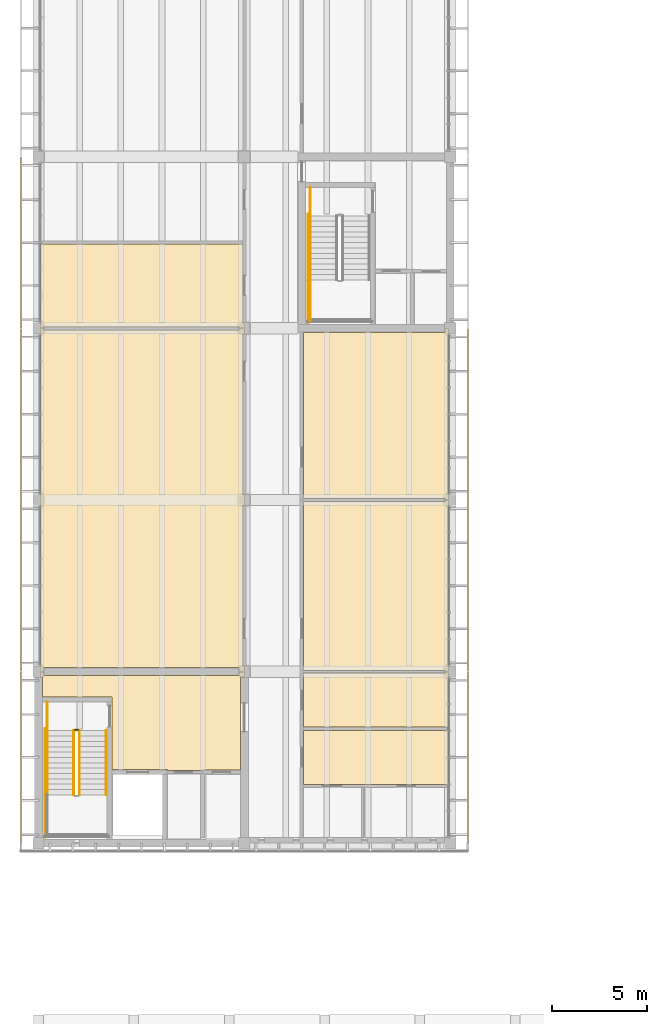
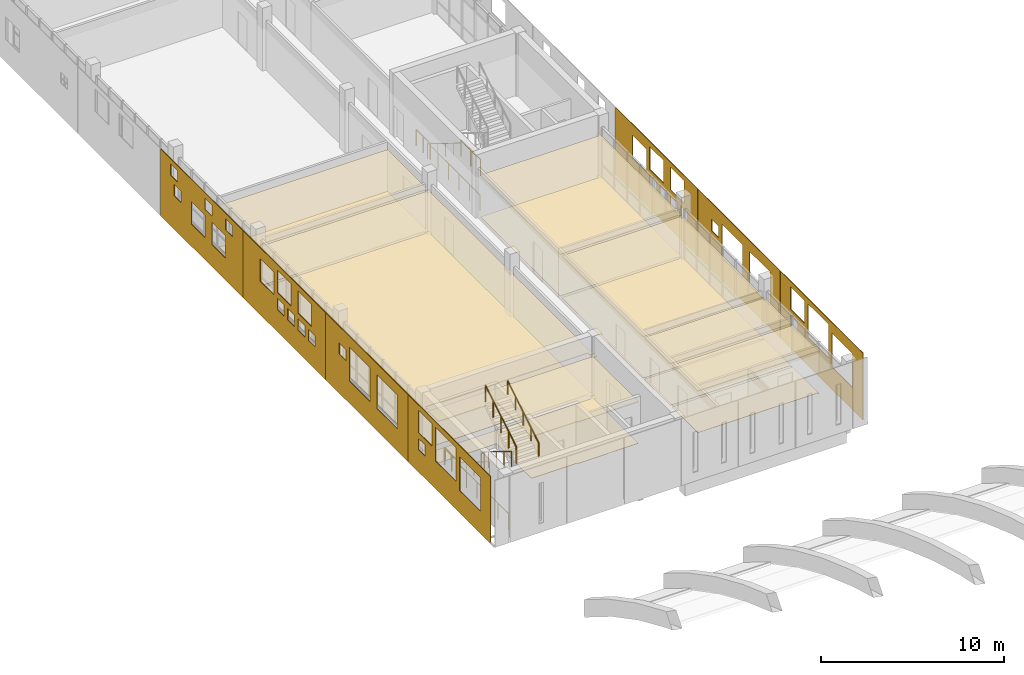
# One storey, part 72 of 88: 21 coverings, 11 railings.
"""IFC4 building model written with IfcOpenShell, lengths in metres."""

from ifc_helpers import new_model, si_unit, direction, frame, origin, origin_2d, place, context, subcontext, project, spatial, polyline, circle, outline, extrude, source, transform, mapped, material, layer, layer_set, type_object, element, save


model = new_model("IFC4")

# Units and contexts
model_context = context("Model", 3, precision=1e-05, world=origin(), true_north=direction((0.0, 1.0)))
body_context = subcontext(model_context, "Body", "Model", "MODEL_VIEW")
ifc_project = project(units=[si_unit("LENGTHUNIT", "METRE"), si_unit("AREAUNIT", "SQUARE_METRE"), si_unit("VOLUMEUNIT", "CUBIC_METRE"), si_unit("PLANEANGLEUNIT", "RADIAN"), si_unit("MASSUNIT", "GRAM", prefix="KILO")], contexts=[model_context])

# Site, building, storey
site_placement = place(None, origin())
site = spatial("IfcSite", under=ifc_project, at=site_placement, CompositionType="ELEMENT")
building_placement = place(site_placement, origin())
building = spatial("IfcBuilding", under=site, at=building_placement, Name="Merrow Basin Faculty of Sciences", CompositionType="ELEMENT")
storey_placement = place(building_placement, frame((0.0, 0.0, 9.0)))
storey = spatial("IfcBuildingStorey", under=building, at=storey_placement, Name="L02", CompositionType="ELEMENT", Elevation=9.0)

# Coverings
ifc_material_1 = material(Name="Carpet tile floor")
ifc_layer_1 = layer(ifc_material_1, 0.02001953125)
ifc_layer_set_1 = layer_set([ifc_layer_1], Name="Carpet tile floor")
covering_type_1 = type_object("IfcCoveringType", Name="Carpet tile floor", PredefinedType="FLOORING", material=ifc_layer_set_1)
covering_1_placement = place(storey_placement, origin())
element("IfcCovering", 1, at=covering_1_placement, inside=storey, type_object=covering_type_1, Name="Floor finish L02-B-022", PredefinedType="FLOORING", context=body_context, shape_type="SweptSolid", body=[
    extrude(outline(polyline([(21.489990234375, 78.989990234375), (21.489990234375, 70.010009765625), (21.31005859375, 70.010009765625), (21.31005859375, 70.06005859375), (13.885009765625, 70.06005859375), (13.885009765625, 78.9150390625), (21.31005859375, 78.9150390625), (21.31005859375, 78.989990234375), (21.489990234375, 78.989990234375)])), origin(), (0.0, 0.0, 1.0), 0.02001953125),
])
covering_2_placement = place(storey_placement, origin())
element("IfcCovering", 2, at=covering_2_placement, inside=storey, type_object=covering_type_1, Name="Floor finish L02-B-027", PredefinedType="FLOORING", context=body_context, shape_type="SweptSolid", body=[
    extrude(outline(polyline([(21.489990234375, 69.989990234375), (21.489990234375, 67.010009765625), (21.429931640625, 67.010009765625), (21.429931640625, 67.0849609375), (13.885009765625, 67.0849609375), (13.885009765625, 69.93994140625), (21.31005859375, 69.93994140625), (21.31005859375, 69.989990234375), (21.489990234375, 69.989990234375)])), origin(), (0.0, 0.0, 1.0), 0.02001953125),
])
ifc_material_2 = material(Name="Laboratory sheet vinyl floor")
ifc_layer_2 = layer(ifc_material_2, 0.02001953125)
ifc_layer_set_2 = layer_set([ifc_layer_2], Name="Laboratory sheet vinyl floor")
covering_type_2 = type_object("IfcCoveringType", Name="Laboratory sheet vinyl floor", PredefinedType="FLOORING", material=ifc_layer_set_2)
covering_3_placement = place(storey_placement, origin())
element("IfcCovering", 3, at=covering_3_placement, inside=storey, type_object=covering_type_2, Name="Floor finish L02-B-017", PredefinedType="FLOORING", context=body_context, shape_type="SweptSolid", body=[
    extrude(outline(polyline([(10.7900390625, 87.7099609375), (10.715087890625, 87.7099609375), (10.715087890625, 79.2900390625), (10.7900390625, 79.2900390625), (10.7900390625, 78.7099609375), (10.715087890625, 78.7099609375), (10.715087890625, 70.2900390625), (10.7900390625, 70.2900390625), (10.7900390625, 70.010009765625), (10.510009765625, 70.010009765625), (10.510009765625, 70.2099609375), (0.2900390625, 70.2099609375), (0.2900390625, 70.010009765625), (0.110107421875, 70.010009765625), (0.110107421875, 87.989990234375), (0.2900390625, 87.989990234375), (0.2900390625, 87.9150390625), (10.510009765625, 87.9150390625), (10.510009765625, 87.989990234375), (10.7900390625, 87.989990234375), (10.7900390625, 87.7099609375)])), origin(), (0.0, 0.0, 1.0), 0.02001953125),
])
covering_4_placement = place(storey_placement, origin())
element("IfcCovering", 4, at=covering_4_placement, inside=storey, type_object=covering_type_2, Name="Floor finish L02-B-018", PredefinedType="FLOORING", context=body_context, shape_type="SweptSolid", body=[
    extrude(outline(polyline([(10.715087890625, 92.4150390625), (10.715087890625, 88.2900390625), (10.7900390625, 88.2900390625), (10.7900390625, 88.010009765625), (10.510009765625, 88.010009765625), (10.510009765625, 88.0849609375), (0.2900390625, 88.0849609375), (0.2900390625, 88.010009765625), (0.110107421875, 88.010009765625), (0.110107421875, 92.489990234375), (0.169921875, 92.489990234375), (0.169921875, 92.4150390625), (10.715087890625, 92.4150390625)])), origin(), (0.0, 0.0, 1.0), 0.02001953125),
])
covering_5_placement = place(storey_placement, origin())
element("IfcCovering", 5, at=covering_5_placement, inside=storey, type_object=covering_type_2, Name="Floor finish L02-B-023", PredefinedType="FLOORING", context=body_context, shape_type="SweptSolid", body=[
    extrude(outline(polyline([(21.489990234375, 87.989990234375), (21.489990234375, 79.010009765625), (21.31005859375, 79.010009765625), (21.31005859375, 79.0849609375), (13.885009765625, 79.0849609375), (13.885009765625, 87.7900390625), (21.31005859375, 87.7900390625), (21.31005859375, 87.989990234375), (21.489990234375, 87.989990234375)])), origin(), (0.0, 0.0, 1.0), 0.02001953125),
])
ifc_material_3 = material(Name="Polished terrazzo floor")
ifc_layer_3 = layer(ifc_material_3, 0.02001953125)
ifc_layer_set_3 = layer_set([ifc_layer_3], Name="Polished terrazzo floor")
covering_type_3 = type_object("IfcCoveringType", Name="Polished terrazzo floor", PredefinedType="FLOORING", material=ifc_layer_set_3)
covering_6_placement = place(storey_placement, origin())
element("IfcCovering", 6, at=covering_6_placement, inside=storey, type_object=covering_type_3, Name="Floor finish L02-B-005", PredefinedType="FLOORING", context=body_context, shape_type="SweptSolid", body=[
    extrude(outline(polyline([(10.590087890625, 64.8349609375), (8.590087890625, 64.8349609375), (8.590087890625, 64.81005859375), (6.760009765625, 64.81005859375), (6.760009765625, 64.860107421875), (3.860107421875, 64.860107421875), (3.860107421875, 68.659912109375), (0.2099609375, 68.659912109375), (0.2099609375, 69.7099609375), (0.110107421875, 69.7099609375), (0.110107421875, 69.989990234375), (0.2900390625, 69.989990234375), (0.2900390625, 69.7900390625), (10.510009765625, 69.7900390625), (10.510009765625, 69.989990234375), (10.7900390625, 69.989990234375), (10.7900390625, 69.7099609375), (10.590087890625, 69.7099609375), (10.590087890625, 64.8349609375)])), origin(), (0.0, 0.0, 1.0), 0.02001953125),
])
covering_7_placement = place(storey_placement, origin())
element("IfcCovering", 7, at=covering_7_placement, inside=storey, type_object=covering_type_3, Name="Floor finish L02-B-016", PredefinedType="FLOORING", context=body_context, shape_type="SweptSolid", body=[
    extrude(outline(polyline([(21.489990234375, 66.989990234375), (21.489990234375, 64.010009765625), (21.429931640625, 64.010009765625), (21.429931640625, 64.0849609375), (13.885009765625, 64.0849609375), (13.885009765625, 66.9150390625), (21.429931640625, 66.9150390625), (21.429931640625, 66.989990234375), (21.489990234375, 66.989990234375)])), origin(), (0.0, 0.0, 1.0), 0.02001953125),
])

# Railings
ifc_material_4 = material(Name="Steel ASTM A36", Category="steel")
railing_type_1 = type_object("IfcRailingType", Name="Steel guard 1100", PredefinedType="GUARDRAIL", material=ifc_material_4)
railing_1_placement = place(storey_placement, frame((1.85009765625, 66.89990234375, 0.173095703125)))
element("IfcRailing", 8, at=railing_1_placement, inside=storey, type_object=railing_type_1, Name="L02 ST-V4-S stair guard 1", PredefinedType="GUARDRAIL", context=body_context, shape_type="SweptSolid", body=[
    extrude(circle(Radius=0.02392578125, at=origin_2d()), frame((0.0, 0.0, 1.076171875), z_axis=(0.0, -0.850606129759, 0.525803396734), x_axis=(1.0, 0.0, 0.0)), (0.0, 0.0, 1.0), 3.949951171875),
    extrude(circle(Radius=0.02099609375, at=origin_2d()), origin(), (0.0, 0.0, 1.0), 1.052001953125),
    extrude(circle(Radius=0.02099609375, at=origin_2d()), frame((0.0, -0.83984375, 0.519287109375)), (0.0, 0.0, 1.0), 1.052001953125),
    extrude(circle(Radius=0.02099609375, at=origin_2d()), frame((0.0, -1.679931640625, 1.03857421875)), (0.0, 0.0, 1.0), 1.052001953125),
    extrude(circle(Radius=0.02099609375, at=origin_2d()), frame((0.0, -2.52001953125, 1.5576171875)), (0.0, 0.0, 1.0), 1.052001953125),
    extrude(circle(Radius=0.02099609375, at=origin_2d()), frame((0.0, -3.35986328125, 2.076904296875)), (0.0, 0.0, 1.0), 1.052001953125),
])
railing_2_placement = place(storey_placement, frame((2.14990234375, 63.5400390625, 2.423095703125)))
element("IfcRailing", 9, at=railing_2_placement, inside=storey, type_object=railing_type_1, Name="L02 ST-V4-S stair guard 5", PredefinedType="GUARDRAIL", context=body_context, shape_type="SweptSolid", body=[
    extrude(circle(Radius=0.02392578125, at=origin_2d()), frame((0.0, 0.0, 1.076171875), z_axis=(0.0, 0.850606129759, 0.525803396734), x_axis=(-1.0, 0.0, 0.0)), (0.0, 0.0, 1.0), 3.949951171875),
    extrude(circle(Radius=0.02099609375, at=origin_2d()), origin(), (0.0, 0.0, 1.0), 1.052001953125),
    extrude(circle(Radius=0.02099609375, at=origin_2d()), frame((0.0, 0.83984375, 0.519287109375)), (0.0, 0.0, 1.0), 1.052001953125),
    extrude(circle(Radius=0.02099609375, at=origin_2d()), frame((0.0, 1.679931640625, 1.03857421875)), (0.0, 0.0, 1.0), 1.052001953125),
    extrude(circle(Radius=0.02099609375, at=origin_2d()), frame((0.0, 2.52001953125, 1.5576171875)), (0.0, 0.0, 1.0), 1.052001953125),
    extrude(circle(Radius=0.02099609375, at=origin_2d()), frame((0.0, 3.35986328125, 2.076904296875)), (0.0, 0.0, 1.0), 1.052001953125),
])
railing_3_placement = place(storey_placement, frame((1.89990234375, 66.949951171875, 0.0)))
element("IfcRailing", 10, at=railing_3_placement, inside=storey, type_object=railing_type_1, Name="L02 ST-V4-S stair guard 6", PredefinedType="GUARDRAIL", context=body_context, shape_type="SweptSolid", body=[
    extrude(circle(Radius=0.02392578125, at=origin_2d()), frame((0.0, 0.0, 1.076171875), z_axis=(1.0, 0.0, 0.0), x_axis=(0.0, 1.0, 0.0)), (0.0, 0.0, 1.0), 0.2001953125),
    extrude(circle(Radius=0.02099609375, at=origin_2d()), origin(), (0.0, 0.0, 1.0), 1.052001953125),
    extrude(circle(Radius=0.02099609375, at=origin_2d()), frame((0.2001953125, 0.0, 0.0)), (0.0, 0.0, 1.0), 1.052001953125),
])
railing_4_placement = place(storey_placement, frame((0.449951171875, 68.39990234375, 0.0)))
element("IfcRailing", 11, at=railing_4_placement, inside=storey, type_object=railing_type_1, Name="L02 ST-V4-S stair guard 7", PredefinedType="GUARDRAIL", context=body_context, shape_type="SweptSolid", body=[
    extrude(circle(Radius=0.02392578125, at=origin_2d()), frame((0.0, 0.0, 1.076171875), z_axis=(0.0, -1.0, 0.0), x_axis=(1.0, 0.0, 0.0)), (0.0, 0.0, 1.0), 1.5),
    extrude(circle(Radius=0.02099609375, at=origin_2d()), origin(), (0.0, 0.0, 1.0), 1.052001953125),
    extrude(circle(Radius=0.02099609375, at=origin_2d()), frame((0.0, -0.75, 0.0)), (0.0, 0.0, 1.0), 1.052001953125),
    extrude(circle(Radius=0.02099609375, at=origin_2d()), frame((0.0, -1.5, 0.0)), (0.0, 0.0, 1.0), 1.052001953125),
])
railing_5_placement = place(storey_placement, frame((0.35009765625, 67.0, 0.0)))
element("IfcRailing", 12, at=railing_5_placement, inside=storey, type_object=railing_type_1, Name="L02 ST-V4-S stair guard 8", PredefinedType="GUARDRAIL", context=body_context, shape_type="SweptSolid", body=[
    extrude(circle(Radius=0.02392578125, at=origin_2d()), frame((0.0, 0.0, 1.076171875), z_axis=(0.0, -1.0, 0.0), x_axis=(1.0, 0.0, 0.0)), (0.0, 0.0, 1.0), 5.699951171875),
    extrude(circle(Radius=0.02099609375, at=origin_2d()), origin(), (0.0, 0.0, 1.0), 1.052001953125),
    extrude(circle(Radius=0.02099609375, at=origin_2d()), frame((0.0, -1.139892578125, 0.0)), (0.0, 0.0, 1.0), 1.052001953125),
    extrude(circle(Radius=0.02099609375, at=origin_2d()), frame((0.0, -2.280029296875, 0.0)), (0.0, 0.0, 1.0), 1.052001953125),
    extrude(circle(Radius=0.02099609375, at=origin_2d()), frame((0.0, -3.419921875, 0.0)), (0.0, 0.0, 1.0), 1.052001953125),
    extrude(circle(Radius=0.02099609375, at=origin_2d()), frame((0.0, -4.56005859375, 0.0)), (0.0, 0.0, 1.0), 1.052001953125),
    extrude(circle(Radius=0.02099609375, at=origin_2d()), frame((0.0, -5.699951171875, 0.0)), (0.0, 0.0, 1.0), 1.052001953125),
])
railing_6_placement = place(storey_placement, frame((14.25, 90.5400390625, 2.25)))
element("IfcRailing", 13, at=railing_6_placement, inside=storey, type_object=railing_type_1, Name="L02 ST-V4-M stair guard 3", PredefinedType="GUARDRAIL", context=body_context, shape_type="SweptSolid", body=[
    extrude(circle(Radius=0.02392578125, at=origin_2d()), frame((0.0, 0.0, 1.076171875), z_axis=(0.0, -1.0, 0.0), x_axis=(1.0, 0.0, 0.0)), (0.0, 0.0, 1.0), 2.14013671875),
    extrude(circle(Radius=0.02099609375, at=origin_2d()), origin(), (0.0, 0.0, 1.0), 1.052001953125),
    extrude(circle(Radius=0.02099609375, at=origin_2d()), frame((0.0, -1.070068359375, 0.0)), (0.0, 0.0, 1.0), 1.052001953125),
    extrude(circle(Radius=0.02099609375, at=origin_2d()), frame((0.0, -2.14013671875, 0.0)), (0.0, 0.0, 1.0), 1.052001953125),
])
railing_7_placement = place(storey_placement, frame((14.25, 95.39990234375, 0.0)))
element("IfcRailing", 14, at=railing_7_placement, inside=storey, type_object=railing_type_1, Name="L02 ST-V4-M stair guard 7", PredefinedType="GUARDRAIL", context=body_context, shape_type="SweptSolid", body=[
    extrude(circle(Radius=0.02392578125, at=origin_2d()), frame((0.0, 0.0, 1.076171875), z_axis=(0.0, -1.0, 0.0), x_axis=(1.0, 0.0, 0.0)), (0.0, 0.0, 1.0), 1.5),
    extrude(circle(Radius=0.02099609375, at=origin_2d()), origin(), (0.0, 0.0, 1.0), 1.052001953125),
    extrude(circle(Radius=0.02099609375, at=origin_2d()), frame((0.0, -0.75, 0.0)), (0.0, 0.0, 1.0), 1.052001953125),
    extrude(circle(Radius=0.02099609375, at=origin_2d()), frame((0.0, -1.5, 0.0)), (0.0, 0.0, 1.0), 1.052001953125),
])
railing_8_placement = place(storey_placement, frame((14.14990234375, 94.0, 0.0)))
element("IfcRailing", 15, at=railing_8_placement, inside=storey, type_object=railing_type_1, Name="L02 ST-V4-M stair guard 8", PredefinedType="GUARDRAIL", context=body_context, shape_type="SweptSolid", body=[
    extrude(circle(Radius=0.02392578125, at=origin_2d()), frame((0.0, 0.0, 1.076171875), z_axis=(0.0, -1.0, 0.0), x_axis=(1.0, 0.0, 0.0)), (0.0, 0.0, 1.0), 5.699951171875),
    extrude(circle(Radius=0.02099609375, at=origin_2d()), origin(), (0.0, 0.0, 1.0), 1.052001953125),
    extrude(circle(Radius=0.02099609375, at=origin_2d()), frame((0.0, -1.139892578125, 0.0)), (0.0, 0.0, 1.0), 1.052001953125),
    extrude(circle(Radius=0.02099609375, at=origin_2d()), frame((0.0, -2.280029296875, 0.0)), (0.0, 0.0, 1.0), 1.052001953125),
    extrude(circle(Radius=0.02099609375, at=origin_2d()), frame((0.0, -3.419921875, 0.0)), (0.0, 0.0, 1.0), 1.052001953125),
    extrude(circle(Radius=0.02099609375, at=origin_2d()), frame((0.0, -4.56005859375, 0.0)), (0.0, 0.0, 1.0), 1.052001953125),
    extrude(circle(Radius=0.02099609375, at=origin_2d()), frame((0.0, -5.699951171875, 0.0)), (0.0, 0.0, 1.0), 1.052001953125),
])
ifc_material_5 = material(Name="Steel ASTM A36", Category="steel")
railing_type_2 = type_object("IfcRailingType", Name="Steel handrail 900", PredefinedType="HANDRAIL", material=ifc_material_5)
railing_9_placement = place(storey_placement, frame((0.449951171875, 66.89990234375, 0.173095703125)))
element("IfcRailing", 16, at=railing_9_placement, inside=storey, type_object=railing_type_2, Name="L02 ST-V4-S stair handrail 1", PredefinedType="HANDRAIL", context=body_context, shape_type="SweptSolid", body=[
    extrude(circle(Radius=0.02392578125, at=origin_2d()), frame((0.0, 0.0, 0.8759765625), z_axis=(0.0, -0.850606129759, 0.525803396734), x_axis=(1.0, 0.0, 0.0)), (0.0, 0.0, 1.0), 3.949951171875),
    extrude(circle(Radius=0.02099609375, at=origin_2d()), origin(), (0.0, 0.0, 1.0), 0.851806640625),
    extrude(circle(Radius=0.02099609375, at=origin_2d()), frame((0.0, -0.83984375, 0.519287109375)), (0.0, 0.0, 1.0), 0.851806640625),
    extrude(circle(Radius=0.02099609375, at=origin_2d()), frame((0.0, -1.679931640625, 1.03857421875)), (0.0, 0.0, 1.0), 0.851806640625),
    extrude(circle(Radius=0.02099609375, at=origin_2d()), frame((0.0, -2.52001953125, 1.5576171875)), (0.0, 0.0, 1.0), 0.851806640625),
    extrude(circle(Radius=0.02099609375, at=origin_2d()), frame((0.0, -3.35986328125, 2.076904296875)), (0.0, 0.0, 1.0), 0.851806640625),
])
railing_10_placement = place(storey_placement, frame((3.550048828125, 63.5400390625, 2.423095703125)))
element("IfcRailing", 17, at=railing_10_placement, inside=storey, type_object=railing_type_2, Name="L02 ST-V4-S stair handrail 2", PredefinedType="HANDRAIL", context=body_context, shape_type="SweptSolid", body=[
    extrude(circle(Radius=0.02392578125, at=origin_2d()), frame((0.0, 0.0, 0.8759765625), z_axis=(0.0, 0.850606129759, 0.525803396734), x_axis=(-1.0, 0.0, 0.0)), (0.0, 0.0, 1.0), 3.949951171875),
    extrude(circle(Radius=0.02099609375, at=origin_2d()), origin(), (0.0, 0.0, 1.0), 0.851806640625),
    extrude(circle(Radius=0.02099609375, at=origin_2d()), frame((0.0, 0.83984375, 0.519287109375)), (0.0, 0.0, 1.0), 0.851806640625),
    extrude(circle(Radius=0.02099609375, at=origin_2d()), frame((0.0, 1.679931640625, 1.03857421875)), (0.0, 0.0, 1.0), 0.851806640625),
    extrude(circle(Radius=0.02099609375, at=origin_2d()), frame((0.0, 2.52001953125, 1.5576171875)), (0.0, 0.0, 1.0), 0.851806640625),
    extrude(circle(Radius=0.02099609375, at=origin_2d()), frame((0.0, 3.35986328125, 2.076904296875)), (0.0, 0.0, 1.0), 0.851806640625),
])
railing_11_placement = place(storey_placement, frame((14.25, 93.89990234375, 0.173095703125)))
element("IfcRailing", 18, at=railing_11_placement, inside=storey, type_object=railing_type_2, Name="L02 ST-V4-M stair handrail 1", PredefinedType="HANDRAIL", context=body_context, shape_type="SweptSolid", body=[
    extrude(circle(Radius=0.02392578125, at=origin_2d()), frame((0.0, 0.0, 0.8759765625), z_axis=(0.0, -0.850606129759, 0.525803396734), x_axis=(1.0, 0.0, 0.0)), (0.0, 0.0, 1.0), 3.949951171875),
    extrude(circle(Radius=0.02099609375, at=origin_2d()), origin(), (0.0, 0.0, 1.0), 0.851806640625),
    extrude(circle(Radius=0.02099609375, at=origin_2d()), frame((0.0, -0.83984375, 0.519287109375)), (0.0, 0.0, 1.0), 0.851806640625),
    extrude(circle(Radius=0.02099609375, at=origin_2d()), frame((0.0, -1.679931640625, 1.03857421875)), (0.0, 0.0, 1.0), 0.851806640625),
    extrude(circle(Radius=0.02099609375, at=origin_2d()), frame((0.0, -2.52001953125, 1.5576171875)), (0.0, 0.0, 1.0), 0.851806640625),
    extrude(circle(Radius=0.02099609375, at=origin_2d()), frame((0.0, -3.35986328125, 2.076904296875)), (0.0, 0.0, 1.0), 0.851806640625),
])

# Coverings
ifc_material_6 = material(Name="Mineral fibre ceiling tile")
ifc_layer_4 = layer(ifc_material_6, 0.050048828125)
ifc_layer_set_4 = layer_set([ifc_layer_4], Name="Suspended acoustic ceiling tile")
covering_type_4 = type_object("IfcCoveringType", Name="Suspended acoustic ceiling tile", PredefinedType="CEILING", material=ifc_layer_set_4)
covering_8_placement = place(storey_placement, frame((0.0, 0.0, 2.75)))
element("IfcCovering", 19, at=covering_8_placement, inside=storey, type_object=covering_type_4, Name="Ceiling L02-B-005", PredefinedType="CEILING", context=body_context, shape_type="SweptSolid", body=[
    extrude(outline(polyline([(10.590087890625, 64.8349609375), (8.590087890625, 64.8349609375), (8.590087890625, 64.81005859375), (6.760009765625, 64.81005859375), (6.760009765625, 64.860107421875), (3.860107421875, 64.860107421875), (3.860107421875, 68.659912109375), (0.2099609375, 68.659912109375), (0.2099609375, 69.7099609375), (0.110107421875, 69.7099609375), (0.110107421875, 69.989990234375), (0.2900390625, 69.989990234375), (0.2900390625, 69.7900390625), (10.510009765625, 69.7900390625), (10.510009765625, 69.989990234375), (10.7900390625, 69.989990234375), (10.7900390625, 69.7099609375), (10.590087890625, 69.7099609375), (10.590087890625, 64.8349609375)])), origin(), (0.0, 0.0, 1.0), 0.050048828125),
])
covering_9_placement = place(storey_placement, frame((0.0, 0.0, 2.75)))
element("IfcCovering", 20, at=covering_9_placement, inside=storey, type_object=covering_type_4, Name="Ceiling L02-B-016", PredefinedType="CEILING", context=body_context, shape_type="SweptSolid", body=[
    extrude(outline(polyline([(21.489990234375, 66.989990234375), (21.489990234375, 64.010009765625), (21.429931640625, 64.010009765625), (21.429931640625, 64.0849609375), (13.885009765625, 64.0849609375), (13.885009765625, 66.9150390625), (21.429931640625, 66.9150390625), (21.429931640625, 66.989990234375), (21.489990234375, 66.989990234375)])), origin(), (0.0, 0.0, 1.0), 0.050048828125),
])
covering_10_placement = place(storey_placement, frame((0.0, 0.0, 2.75)))
element("IfcCovering", 21, at=covering_10_placement, inside=storey, type_object=covering_type_4, Name="Ceiling L02-B-017", PredefinedType="CEILING", context=body_context, shape_type="SweptSolid", body=[
    extrude(outline(polyline([(10.7900390625, 87.7099609375), (10.715087890625, 87.7099609375), (10.715087890625, 79.2900390625), (10.7900390625, 79.2900390625), (10.7900390625, 78.7099609375), (10.715087890625, 78.7099609375), (10.715087890625, 70.2900390625), (10.7900390625, 70.2900390625), (10.7900390625, 70.010009765625), (10.510009765625, 70.010009765625), (10.510009765625, 70.2099609375), (0.2900390625, 70.2099609375), (0.2900390625, 70.010009765625), (0.110107421875, 70.010009765625), (0.110107421875, 87.989990234375), (0.2900390625, 87.989990234375), (0.2900390625, 87.9150390625), (10.510009765625, 87.9150390625), (10.510009765625, 87.989990234375), (10.7900390625, 87.989990234375), (10.7900390625, 87.7099609375)])), origin(), (0.0, 0.0, 1.0), 0.050048828125),
])
covering_11_placement = place(storey_placement, frame((0.0, 0.0, 2.75)))
element("IfcCovering", 22, at=covering_11_placement, inside=storey, type_object=covering_type_4, Name="Ceiling L02-B-018", PredefinedType="CEILING", context=body_context, shape_type="SweptSolid", body=[
    extrude(outline(polyline([(10.715087890625, 92.4150390625), (10.715087890625, 88.2900390625), (10.7900390625, 88.2900390625), (10.7900390625, 88.010009765625), (10.510009765625, 88.010009765625), (10.510009765625, 88.0849609375), (0.2900390625, 88.0849609375), (0.2900390625, 88.010009765625), (0.110107421875, 88.010009765625), (0.110107421875, 92.489990234375), (0.169921875, 92.489990234375), (0.169921875, 92.4150390625), (10.715087890625, 92.4150390625)])), origin(), (0.0, 0.0, 1.0), 0.050048828125),
])
covering_12_placement = place(storey_placement, frame((0.0, 0.0, 2.75)))
element("IfcCovering", 23, at=covering_12_placement, inside=storey, type_object=covering_type_4, Name="Ceiling L02-B-022", PredefinedType="CEILING", context=body_context, shape_type="SweptSolid", body=[
    extrude(outline(polyline([(21.489990234375, 78.989990234375), (21.489990234375, 70.010009765625), (21.31005859375, 70.010009765625), (21.31005859375, 70.06005859375), (13.885009765625, 70.06005859375), (13.885009765625, 78.9150390625), (21.31005859375, 78.9150390625), (21.31005859375, 78.989990234375), (21.489990234375, 78.989990234375)])), origin(), (0.0, 0.0, 1.0), 0.050048828125),
])
covering_13_placement = place(storey_placement, frame((0.0, 0.0, 2.75)))
element("IfcCovering", 24, at=covering_13_placement, inside=storey, type_object=covering_type_4, Name="Ceiling L02-B-023", PredefinedType="CEILING", context=body_context, shape_type="SweptSolid", body=[
    extrude(outline(polyline([(21.489990234375, 87.989990234375), (21.489990234375, 79.010009765625), (21.31005859375, 79.010009765625), (21.31005859375, 79.0849609375), (13.885009765625, 79.0849609375), (13.885009765625, 87.7900390625), (21.31005859375, 87.7900390625), (21.31005859375, 87.989990234375), (21.489990234375, 87.989990234375)])), origin(), (0.0, 0.0, 1.0), 0.050048828125),
])
covering_14_placement = place(storey_placement, frame((0.0, 0.0, 2.75)))
element("IfcCovering", 25, at=covering_14_placement, inside=storey, type_object=covering_type_4, Name="Ceiling L02-B-027", PredefinedType="CEILING", context=body_context, shape_type="SweptSolid", body=[
    extrude(outline(polyline([(21.489990234375, 69.989990234375), (21.489990234375, 67.010009765625), (21.429931640625, 67.010009765625), (21.429931640625, 67.0849609375), (13.885009765625, 67.0849609375), (13.885009765625, 69.93994140625), (21.31005859375, 69.93994140625), (21.31005859375, 69.989990234375), (21.489990234375, 69.989990234375)])), origin(), (0.0, 0.0, 1.0), 0.050048828125),
])
ifc_material_7 = material(Name="White powder-coated aluminium", Category="aluminium")
ifc_layer_5 = layer(ifc_material_7, 0.0400390625)
ifc_layer_set_5 = layer_set([ifc_layer_5], Name="Perforated panel 9000 x 4500")
covering_type_5 = type_object("IfcCoveringType", Name="Perforated panel 9000 x 4500", PredefinedType="CLADDING", material=ifc_layer_set_5)
shared_shape_1 = source(origin(), body_context, "Body", "SweptSolid", [
    extrude(outline(polyline([(0.02001953125, 0.02001953125), (8.97998046875, 0.02001953125), (8.97998046875, 4.47998046875), (0.02001953125, 4.47998046875), (0.02001953125, 0.02001953125)]), holes=[polyline([(1.125, 1.5), (3.375, 1.5), (3.375, 3.75), (1.125, 3.75), (1.125, 1.5)]), polyline([(7.125, 1.5), (7.875, 1.5), (7.875, 2.25), (7.125, 2.25), (7.125, 1.5)]), polyline([(3.75, 1.875), (6.0, 1.875), (6.0, 4.125), (3.75, 4.125), (3.75, 1.875)]), polyline([(6.375, 2.625), (7.875, 2.625), (7.875, 4.125), (6.375, 4.125), (6.375, 2.625)])]), origin(), (0.0, 0.0, 1.0), 0.0400390625),
])
covering_15_placement = place(storey_placement, frame((-0.93994140625, 61.0, -0.320068359375), z_axis=(1.0, 0.0, 0.0), x_axis=(0.0, 1.0, 0.0)))
element("IfcCovering", 26, at=covering_15_placement, inside=storey, type_object=covering_type_5, Name="Perforated panel WL02-01", PredefinedType="CLADDING", context=body_context, shape_type="MappedRepresentation", body=[
    mapped(shared_shape_1, transform((0.0, 0.0, 0.0), scale=1.0)),
])
shared_shape_2 = source(origin(), body_context, "Body", "SweptSolid", [
    extrude(outline(polyline([(0.02001953125, 0.02001953125), (8.97998046875, 0.02001953125), (8.97998046875, 4.47998046875), (0.02001953125, 4.47998046875), (0.02001953125, 0.02001953125)]), holes=[polyline([(5.625, 1.5), (7.875, 1.5), (7.875, 3.75), (5.625, 3.75), (5.625, 1.5)]), polyline([(1.125, 1.5), (1.875, 1.5), (1.875, 2.25), (1.125, 2.25), (1.125, 1.5)]), polyline([(3.0, 1.875), (5.25, 1.875), (5.25, 4.125), (3.0, 4.125), (3.0, 1.875)]), polyline([(1.125, 2.625), (2.625, 2.625), (2.625, 4.125), (1.125, 4.125), (1.125, 2.625)])]), origin(), (0.0, 0.0, 1.0), 0.0400390625),
])
covering_16_placement = place(storey_placement, frame((22.5400390625, 70.0, -0.320068359375), z_axis=(-1.0, 0.0, 0.0), x_axis=(0.0, -1.0, 0.0)))
element("IfcCovering", 27, at=covering_16_placement, inside=storey, type_object=covering_type_5, Name="Perforated panel EL02-01", PredefinedType="CLADDING", context=body_context, shape_type="MappedRepresentation", body=[
    mapped(shared_shape_2, transform((0.0, 0.0, 0.0), scale=1.0)),
])
shared_shape_3 = source(origin(), body_context, "Body", "SweptSolid", [
    extrude(outline(polyline([(0.02001953125, 0.02001953125), (8.97998046875, 0.02001953125), (8.97998046875, 4.47998046875), (0.02001953125, 4.47998046875), (0.02001953125, 0.02001953125)]), holes=[polyline([(1.125, 1.5), (3.375, 1.5), (3.375, 3.75), (1.125, 3.75), (1.125, 1.5)]), polyline([(4.125, 1.5), (6.375, 1.5), (6.375, 3.75), (4.125, 3.75), (4.125, 1.5)]), polyline([(6.75, 2.625), (7.5, 2.625), (7.5, 3.375), (6.75, 3.375), (6.75, 2.625)])]), origin(), (0.0, 0.0, 1.0), 0.0400390625),
])
covering_17_placement = place(storey_placement, frame((-0.93994140625, 70.0, -0.320068359375), z_axis=(1.0, 0.0, 0.0), x_axis=(0.0, 1.0, 0.0)))
element("IfcCovering", 28, at=covering_17_placement, inside=storey, type_object=covering_type_5, Name="Perforated panel WL02-02", PredefinedType="CLADDING", context=body_context, shape_type="MappedRepresentation", body=[
    mapped(shared_shape_3, transform((0.0, 0.0, 0.0), scale=1.0)),
])
shared_shape_4 = source(origin(), body_context, "Body", "SweptSolid", [
    extrude(outline(polyline([(0.02001953125, 0.02001953125), (8.97998046875, 0.02001953125), (8.97998046875, 4.47998046875), (0.02001953125, 4.47998046875), (0.02001953125, 0.02001953125)]), holes=[polyline([(5.625, 1.5), (7.875, 1.5), (7.875, 3.75), (5.625, 3.75), (5.625, 1.5)]), polyline([(2.625, 1.5), (4.875, 1.5), (4.875, 3.75), (2.625, 3.75), (2.625, 1.5)]), polyline([(1.5, 2.625), (2.25, 2.625), (2.25, 3.375), (1.5, 3.375), (1.5, 2.625)])]), origin(), (0.0, 0.0, 1.0), 0.0400390625),
])
covering_18_placement = place(storey_placement, frame((22.5400390625, 79.0, -0.320068359375), z_axis=(-1.0, 0.0, 0.0), x_axis=(0.0, -1.0, 0.0)))
element("IfcCovering", 29, at=covering_18_placement, inside=storey, type_object=covering_type_5, Name="Perforated panel EL02-02", PredefinedType="CLADDING", context=body_context, shape_type="MappedRepresentation", body=[
    mapped(shared_shape_4, transform((0.0, 0.0, 0.0), scale=1.0)),
])
shared_shape_5 = source(origin(), body_context, "Body", "SweptSolid", [
    extrude(outline(polyline([(0.02001953125, 0.02001953125), (8.97998046875, 0.02001953125), (8.97998046875, 4.47998046875), (0.02001953125, 4.47998046875), (0.02001953125, 0.02001953125)]), holes=[polyline([(1.125, 1.5), (1.875, 1.5), (1.875, 2.25), (1.125, 2.25), (1.125, 1.5)]), polyline([(2.25, 1.5), (3.0, 1.5), (3.0, 2.25), (2.25, 2.25), (2.25, 1.5)]), polyline([(3.375, 1.5), (4.125, 1.5), (4.125, 2.25), (3.375, 2.25), (3.375, 1.5)]), polyline([(4.5, 1.5), (5.25, 1.5), (5.25, 2.25), (4.5, 2.25), (4.5, 1.5)]), polyline([(5.625, 2.25), (7.125, 2.25), (7.125, 3.75), (5.625, 3.75), (5.625, 2.25)]), polyline([(1.5, 2.625), (3.0, 2.625), (3.0, 4.125), (1.5, 4.125), (1.5, 2.625)]), polyline([(3.75, 2.625), (5.25, 2.625), (5.25, 4.125), (3.75, 4.125), (3.75, 2.625)])]), origin(), (0.0, 0.0, 1.0), 0.0400390625),
])
covering_19_placement = place(storey_placement, frame((-0.93994140625, 79.0, -0.320068359375), z_axis=(1.0, 0.0, 0.0), x_axis=(0.0, 1.0, 0.0)))
element("IfcCovering", 30, at=covering_19_placement, inside=storey, type_object=covering_type_5, Name="Perforated panel WL02-03", PredefinedType="CLADDING", context=body_context, shape_type="MappedRepresentation", body=[
    mapped(shared_shape_5, transform((0.0, 0.0, 0.0), scale=1.0)),
])
shared_shape_6 = source(origin(), body_context, "Body", "SweptSolid", [
    extrude(outline(polyline([(0.02001953125, 0.02001953125), (8.97998046875, 0.02001953125), (8.97998046875, 4.47998046875), (0.02001953125, 4.47998046875), (0.02001953125, 0.02001953125)]), holes=[polyline([(7.125, 1.5), (7.875, 1.5), (7.875, 2.25), (7.125, 2.25), (7.125, 1.5)]), polyline([(6.0, 1.5), (6.75, 1.5), (6.75, 2.25), (6.0, 2.25), (6.0, 1.5)]), polyline([(4.875, 1.5), (5.625, 1.5), (5.625, 2.25), (4.875, 2.25), (4.875, 1.5)]), polyline([(3.75, 1.5), (4.5, 1.5), (4.5, 2.25), (3.75, 2.25), (3.75, 1.5)]), polyline([(1.875, 2.25), (3.375, 2.25), (3.375, 3.75), (1.875, 3.75), (1.875, 2.25)]), polyline([(6.0, 2.625), (7.5, 2.625), (7.5, 4.125), (6.0, 4.125), (6.0, 2.625)]), polyline([(3.75, 2.625), (5.25, 2.625), (5.25, 4.125), (3.75, 4.125), (3.75, 2.625)])]), origin(), (0.0, 0.0, 1.0), 0.0400390625),
])
covering_20_placement = place(storey_placement, frame((22.5400390625, 88.0, -0.320068359375), z_axis=(-1.0, 0.0, 0.0), x_axis=(0.0, -1.0, 0.0)))
element("IfcCovering", 31, at=covering_20_placement, inside=storey, type_object=covering_type_5, Name="Perforated panel EL02-03", PredefinedType="CLADDING", context=body_context, shape_type="MappedRepresentation", body=[
    mapped(shared_shape_6, transform((0.0, 0.0, 0.0), scale=1.0)),
])
shared_shape_7 = source(origin(), body_context, "Body", "SweptSolid", [
    extrude(outline(polyline([(0.02001953125, 0.02001953125), (8.97998046875, 0.02001953125), (8.97998046875, 4.47998046875), (0.02001953125, 4.47998046875), (0.02001953125, 0.02001953125)]), holes=[polyline([(1.875, 1.5), (3.375, 1.5), (3.375, 3.0), (1.875, 3.0), (1.875, 1.5)]), polyline([(4.125, 1.5), (5.625, 1.5), (5.625, 3.0), (4.125, 3.0), (4.125, 1.5)]), polyline([(6.75, 2.25), (7.5, 2.25), (7.5, 3.0), (6.75, 3.0), (6.75, 2.25)]), polyline([(1.125, 3.375), (1.875, 3.375), (1.875, 4.125), (1.125, 4.125), (1.125, 3.375)]), polyline([(3.375, 3.375), (4.125, 3.375), (4.125, 4.125), (3.375, 4.125), (3.375, 3.375)]), polyline([(7.125, 3.375), (7.875, 3.375), (7.875, 4.125), (7.125, 4.125), (7.125, 3.375)])]), origin(), (0.0, 0.0, 1.0), 0.0400390625),
])
covering_21_placement = place(storey_placement, frame((-0.93994140625, 88.0, -0.320068359375), z_axis=(1.0, 0.0, 0.0), x_axis=(0.0, 1.0, 0.0)))
element("IfcCovering", 32, at=covering_21_placement, inside=storey, type_object=covering_type_5, Name="Perforated panel WL02-04", PredefinedType="CLADDING", context=body_context, shape_type="MappedRepresentation", body=[
    mapped(shared_shape_7, transform((0.0, 0.0, 0.0), scale=1.0)),
])

save(model, "model.ifc")
